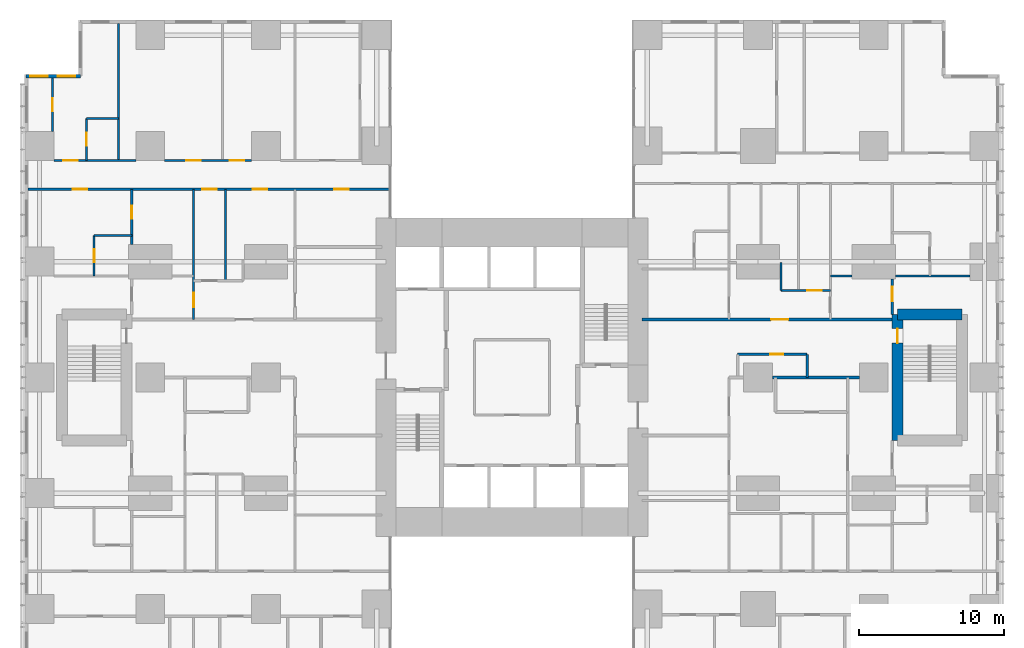
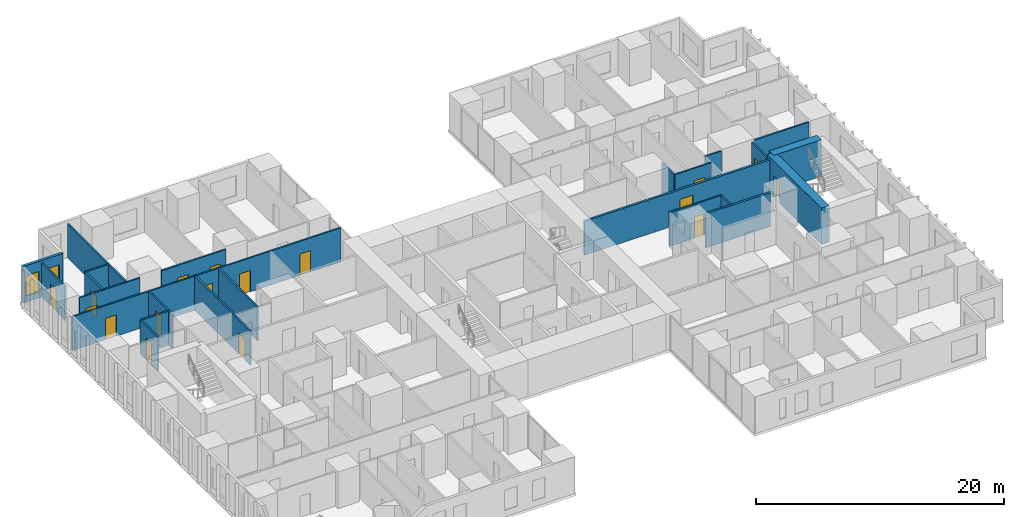
# One storey, part 16 of 20: 24 walls, 17 doors, 2 windows, 19 openings.
"""IFC4 building model written with IfcOpenShell, lengths in metres."""

from ifc_helpers import new_model, si_unit, direction, frame, frame_2d, origin, place, context, subcontext, project, spatial, rectangle, extrude, material, layer, layer_set, type_object, element, fill, save


model = new_model("IFC4")

# Units and contexts
model_context = context("Model", 3, precision=1e-05, world=origin(), true_north=direction((0.0, 1.0)))
body_context = subcontext(model_context, "Body", "Model", "MODEL_VIEW")
ifc_project = project(units=[si_unit("LENGTHUNIT", "METRE"), si_unit("AREAUNIT", "SQUARE_METRE"), si_unit("VOLUMEUNIT", "CUBIC_METRE"), si_unit("PLANEANGLEUNIT", "RADIAN"), si_unit("MASSUNIT", "GRAM", prefix="KILO")], contexts=[model_context])

# Site, building, storey
site_placement = place(None, origin())
site = spatial("IfcSite", under=ifc_project, at=site_placement, CompositionType="ELEMENT")
building_placement = place(site_placement, origin())
building = spatial("IfcBuilding", under=site, at=building_placement, Name="Cleftline Residences", CompositionType="ELEMENT")
storey_placement = place(building_placement, frame((0.0, 0.0, 33.199951171875)))
storey = spatial("IfcBuildingStorey", under=building, at=storey_placement, Name="L07", CompositionType="ELEMENT", Elevation=33.199951171875)

# Wall, openings, windows
ifc_material_1 = material(Name="Rendered reinforced concrete blockwork", Category="masonry")
ifc_layer_1 = layer(ifc_material_1, 0.25)
ifc_layer_set_1 = layer_set([ifc_layer_1], Name="EXTERNAL WALL 250")
wall_type_1 = type_object("IfcWallType", Name="EXTERNAL WALL 250", PredefinedType="SOLIDWALL", material=ifc_layer_set_1)
wall_1_placement = place(storey_placement, frame((3.175048828125, 44.824951171875, 0.0), z_axis=(0.0, 0.0, 1.0), x_axis=(-1.0, 0.0, 0.0)))
wall_1 = element("IfcWall", 1, at=wall_1_placement, inside=storey, type_object=wall_type_1, Name="External wall", PredefinedType="SOLIDWALL", context=body_context, shape_type="SweptSolid", body=[
    extrude(rectangle(XDim=3.75, YDim=0.25, at=frame_2d((1.875, 0.0))), origin(), (0.0, 0.0, 1.0), 3.60009765625),
])
opening_1_placement = place(wall_1_placement, frame((0.362548828125, 0.0, 0.60009765625)))
opening_1 = element("IfcOpeningElement", 2, at=opening_1_placement, cuts=wall_1, Name="Opening W8", PredefinedType="OPENING", context=body_context, shape_type="SweptSolid", body=[
    extrude(rectangle(XDim=1.199951171875, YDim=2.0, at=frame_2d((0.60009765625, 1.0))), frame((0.0, 0.135009765625, 0.0), z_axis=(0.0, -1.0, 0.0), x_axis=(1.0, 0.0, 0.0)), (0.0, 0.0, 1.0), 0.27001953125),
])
opening_2_placement = place(wall_1_placement, frame((2.25, 0.0, 0.60009765625)))
opening_2 = element("IfcOpeningElement", 3, at=opening_2_placement, cuts=wall_1, Name="Opening W8", PredefinedType="OPENING", context=body_context, shape_type="SweptSolid", body=[
    extrude(rectangle(XDim=1.199951171875, YDim=2.0, at=frame_2d((0.60009765625, 1.0))), frame((0.0, 0.135009765625, 0.0), z_axis=(0.0, -1.0, 0.0), x_axis=(1.0, 0.0, 0.0)), (0.0, 0.0, 1.0), 0.27001953125),
])
ifc_material_2 = material(Name="Aluminium frame, clear double glazing", Category="aluminium")
window_type = type_object("IfcWindowType", Name="WINDOW 1200X2000", PartitioningType="DOUBLE_PANEL_VERTICAL", PredefinedType="WINDOW", material=ifc_material_2)
window_1_placement = place(opening_1_placement, origin())
window_1 = element("IfcWindow", 4, at=window_1_placement, inside=storey, type_object=window_type, Name="Window", OverallHeight=2.0, OverallWidth=1.199951171875, PartitioningType="SINGLE_PANEL", PredefinedType="WINDOW", context=body_context, shape_type="SweptSolid", body=[
    extrude(rectangle(XDim=1.199951171875, YDim=2.0, at=frame_2d((0.60009765625, 1.0))), frame((0.0, 0.030029296875, 0.0), z_axis=(0.0, -1.0, 0.0), x_axis=(1.0, 0.0, 0.0)), (0.0, 0.0, 1.0), 0.06005859375),
])
fill(opening_1, window_1)
window_2_placement = place(opening_2_placement, origin())
window_2 = element("IfcWindow", 5, at=window_2_placement, inside=storey, type_object=window_type, Name="Window", OverallHeight=2.0, OverallWidth=1.199951171875, PartitioningType="SINGLE_PANEL", PredefinedType="WINDOW", context=body_context, shape_type="SweptSolid", body=[
    extrude(rectangle(XDim=1.199951171875, YDim=2.0, at=frame_2d((0.60009765625, 1.0))), frame((0.0, 0.030029296875, 0.0), z_axis=(0.0, -1.0, 0.0), x_axis=(1.0, 0.0, 0.0)), (0.0, 0.0, 1.0), 0.06005859375),
])
fill(opening_2, window_2)

# Wall
ifc_material_3 = material(Name="Concrete blockwork, fire rated", Category="masonry")
ifc_layer_2 = layer(ifc_material_3, 0.199951171875)
ifc_layer_set_2 = layer_set([ifc_layer_2], Name="FIRE WALL 200")
wall_type_2 = type_object("IfcWallType", Name="FIRE WALL 200", PredefinedType="PARTITIONING", material=ifc_layer_set_2)
wall_2_placement = place(storey_placement, frame((51.0, 24.0, 0.0), z_axis=(0.0, 0.0, 1.0), x_axis=(1.0, 0.0, 0.0)))
element("IfcWall", 6, at=wall_2_placement, inside=storey, type_object=wall_type_2, Name="Fire separating wall", PredefinedType="PARTITIONING", context=body_context, shape_type="SweptSolid", body=[
    extrude(rectangle(XDim=6.0, YDim=0.199951171875, at=frame_2d((3.0, 0.0))), origin(), (0.0, 0.0, 1.0), 3.35009765625),
])

# Wall, opening, door
wall_3_placement = place(storey_placement, frame((42.0, 28.0, 0.0), z_axis=(0.0, 0.0, 1.0), x_axis=(1.0, 0.0, 0.0)))
wall_3 = element("IfcWall", 7, at=wall_3_placement, inside=storey, type_object=wall_type_2, Name="Fire separating wall", PredefinedType="PARTITIONING", context=body_context, shape_type="SweptSolid", body=[
    extrude(rectangle(XDim=17.27490234375, YDim=0.199951171875, at=frame_2d((8.637451171875, 0.0))), origin(), (0.0, 0.0, 1.0), 3.35009765625),
])
opening_3_placement = place(wall_3_placement, frame((8.89990234375, 0.0, 0.0)))
opening_3 = element("IfcOpeningElement", 8, at=opening_3_placement, cuts=wall_3, Name="Opening D4", PredefinedType="OPENING", context=body_context, shape_type="SweptSolid", body=[
    extrude(rectangle(XDim=1.199951171875, YDim=2.39990234375, at=frame_2d((0.60009765625, 1.199951171875))), frame((0.0, 0.10986328125, 0.0), z_axis=(0.0, -1.0, 0.0), x_axis=(1.0, 0.0, 0.0)), (0.0, 0.0, 1.0), 0.219970703125),
])
ifc_material_4 = material(Name="Timber veneer on solid core", Category="wood")
door_type_1 = type_object("IfcDoorType", Name="APARTMENT ENTRANCE DOOR 1200X2400", OperationType="SINGLE_SWING_RIGHT", PredefinedType="DOOR", material=ifc_material_4)
door_1_placement = place(opening_3_placement, origin())
door_1 = element("IfcDoor", 9, at=door_1_placement, inside=storey, type_object=door_type_1, Name="Door to residence entrance foyer", OperationType="SINGLE_SWING_LEFT", OverallHeight=2.39990234375, OverallWidth=1.199951171875, PredefinedType="DOOR", context=body_context, shape_type="SweptSolid", body=[
    extrude(rectangle(XDim=1.199951171875, YDim=2.39990234375, at=frame_2d((0.60009765625, 1.199951171875))), frame((0.0, 0.02490234375, 0.0), z_axis=(0.0, -1.0, 0.0), x_axis=(1.0, 0.0, 0.0)), (0.0, 0.0, 1.0), 0.050048828125),
])
fill(opening_3, door_1)

ifc_material_5 = material(Name="Gypsum board on steel studs", Category="steel")
ifc_layer_3 = layer(ifc_material_5, 0.14990234375)
ifc_layer_set_3 = layer_set([ifc_layer_3], Name="PARTITION 150")
wall_type_3 = type_object("IfcWallType", Name="PARTITION 150", PredefinedType="PARTITIONING", material=ifc_layer_set_3)
wall_4_placement = place(storey_placement, frame((48.60009765625, 25.60009765625, 0.0), z_axis=(0.0, 0.0, 1.0), x_axis=(1.0, 0.0, 0.0)))
wall_4 = element("IfcWall", 10, at=wall_4_placement, inside=storey, type_object=wall_type_3, Name="Partition", PredefinedType="PARTITIONING", context=body_context, shape_type="SweptSolid", body=[
    extrude(rectangle(XDim=4.7998046875, YDim=0.14990234375, at=frame_2d((2.39990234375, 0.0))), origin(), (0.0, 0.0, 1.0), 3.35009765625),
])
opening_4_placement = place(wall_4_placement, frame((2.25, 0.0, 0.0)))
opening_4 = element("IfcOpeningElement", 11, at=opening_4_placement, cuts=wall_4, Name="Opening D1", PredefinedType="OPENING", context=body_context, shape_type="SweptSolid", body=[
    extrude(rectangle(XDim=0.89990234375, YDim=2.10009765625, at=frame_2d((0.449951171875, 1.050048828125))), frame((0.0, 0.0849609375, 0.0), z_axis=(0.0, -1.0, 0.0), x_axis=(1.0, 0.0, 0.0)), (0.0, 0.0, 1.0), 0.169921875),
])
ifc_material_6 = material(Name="Timber veneer on solid core", Category="wood")
door_type_2 = type_object("IfcDoorType", Name="DOOR 900X2100", OperationType="SINGLE_SWING_LEFT", PredefinedType="DOOR", material=ifc_material_6)
door_2_placement = place(opening_4_placement, origin())
door_2 = element("IfcDoor", 12, at=door_2_placement, inside=storey, type_object=door_type_2, Name="Door to bulky waste room", OperationType="SINGLE_SWING_LEFT", OverallHeight=2.10009765625, OverallWidth=0.89990234375, PredefinedType="DOOR", context=body_context, shape_type="SweptSolid", body=[
    extrude(rectangle(XDim=0.89990234375, YDim=2.10009765625, at=frame_2d((0.449951171875, 1.050048828125))), frame((0.0, 0.02490234375, 0.0), z_axis=(0.0, -1.0, 0.0), x_axis=(1.0, 0.0, 0.0)), (0.0, 0.0, 1.0), 0.050048828125),
])
fill(opening_4, door_2)

wall_5_placement = place(storey_placement, frame((51.60009765625, 30.0, 0.0), z_axis=(0.0, 0.0, 1.0), x_axis=(1.0, 0.0, 0.0)))
wall_5 = element("IfcWall", 13, at=wall_5_placement, inside=storey, type_object=wall_type_3, Name="Partition", PredefinedType="PARTITIONING", context=body_context, shape_type="SweptSolid", body=[
    extrude(rectangle(XDim=3.39990234375, YDim=0.14990234375, at=frame_2d((1.699951171875, 0.0))), origin(), (0.0, 0.0, 1.0), 3.35009765625),
])
opening_5_placement = place(wall_5_placement, frame((1.800048828125, 0.0, 0.0)))
opening_5 = element("IfcOpeningElement", 14, at=opening_5_placement, cuts=wall_5, Name="Opening D2", PredefinedType="OPENING", context=body_context, shape_type="SweptSolid", body=[
    extrude(rectangle(XDim=1.0, YDim=2.10009765625, at=frame_2d((0.5, 1.050048828125))), frame((0.0, 0.0849609375, 0.0), z_axis=(0.0, -1.0, 0.0), x_axis=(1.0, 0.0, 0.0)), (0.0, 0.0, 1.0), 0.169921875),
])
ifc_material_7 = material(Name="Timber veneer on solid core", Category="wood")
door_type_3 = type_object("IfcDoorType", Name="DOOR 1000X2100", OperationType="SINGLE_SWING_LEFT", PredefinedType="DOOR", material=ifc_material_7)
door_3_placement = place(opening_5_placement, origin())
door_3 = element("IfcDoor", 15, at=door_3_placement, inside=storey, type_object=door_type_3, Name="Door to residence passage", OperationType="SINGLE_SWING_LEFT", OverallHeight=2.10009765625, OverallWidth=1.0, PredefinedType="DOOR", context=body_context, shape_type="SweptSolid", body=[
    extrude(rectangle(XDim=1.0, YDim=2.10009765625, at=frame_2d((0.5, 1.050048828125))), frame((0.0, 0.02490234375, 0.0), z_axis=(0.0, -1.0, 0.0), x_axis=(1.0, 0.0, 0.0)), (0.0, 0.0, 1.0), 0.050048828125),
])
fill(opening_5, door_3)

# Walls
wall_6_placement = place(storey_placement, frame((55.0, 31.0, 0.0), z_axis=(0.0, 0.0, 1.0), x_axis=(1.0, 0.0, 0.0)))
element("IfcWall", 16, at=wall_6_placement, inside=storey, type_object=wall_type_3, Name="Partition", PredefinedType="PARTITIONING", context=body_context, shape_type="SweptSolid", body=[
    extrude(rectangle(XDim=1.5, YDim=0.14990234375, at=frame_2d((0.75, 0.0))), origin(), (0.0, 0.0, 1.0), 3.35009765625),
])
wall_7_placement = place(storey_placement, frame((59.5, 31.0, 0.0), z_axis=(0.0, 0.0, 1.0), x_axis=(1.0, 0.0, 0.0)))
element("IfcWall", 17, at=wall_7_placement, inside=storey, type_object=wall_type_3, Name="Partition", PredefinedType="PARTITIONING", context=body_context, shape_type="SweptSolid", body=[
    extrude(rectangle(XDim=5.14990234375, YDim=0.14990234375, at=frame_2d((2.574951171875, 0.0))), origin(), (0.0, 0.0, 1.0), 3.35009765625),
])
wall_8_placement = place(storey_placement, frame((4.125, 33.800048828125, 0.0), z_axis=(0.0, 0.0, 1.0), x_axis=(1.0, 0.0, 0.0)))
element("IfcWall", 18, at=wall_8_placement, inside=storey, type_object=wall_type_3, Name="Partition", PredefinedType="PARTITIONING", context=body_context, shape_type="SweptSolid", body=[
    extrude(rectangle(XDim=2.60009765625, YDim=0.14990234375, at=frame_2d((1.300048828125, 0.0))), origin(), (0.0, 0.0, 1.0), 3.35009765625),
])

# Wall, openings, doors
wall_9_placement = place(storey_placement, frame((-0.449951171875, 37.0, 0.0), z_axis=(0.0, 0.0, 1.0), x_axis=(1.0, 0.0, 0.0)))
wall_9 = element("IfcWall", 19, at=wall_9_placement, inside=storey, type_object=wall_type_3, Name="Partition", PredefinedType="PARTITIONING", context=body_context, shape_type="SweptSolid", body=[
    extrude(rectangle(XDim=25.010986328125, YDim=0.14990234375, at=frame_2d((12.50537109375, 0.0))), origin(), (0.0, 0.0, 1.0), 3.35009765625),
])
opening_6_placement = place(wall_9_placement, frame((12.050048828125, 0.0, 0.0)))
opening_6 = element("IfcOpeningElement", 20, at=opening_6_placement, cuts=wall_9, Name="Opening D2F30", PredefinedType="OPENING", context=body_context, shape_type="SweptSolid", body=[
    extrude(rectangle(XDim=1.0, YDim=2.10009765625, at=frame_2d((0.5, 1.050048828125))), frame((0.0, 0.0849609375, 0.0), z_axis=(0.0, -1.0, 0.0), x_axis=(1.0, 0.0, 0.0)), (0.0, 0.0, 1.0), 0.169921875),
])
opening_7_placement = place(wall_9_placement, frame((3.08740234375, 0.0, 0.0)))
opening_7 = element("IfcOpeningElement", 21, at=opening_7_placement, cuts=wall_9, Name="Opening D2F30", PredefinedType="OPENING", context=body_context, shape_type="SweptSolid", body=[
    extrude(rectangle(XDim=1.0, YDim=2.10009765625, at=frame_2d((0.5, 1.050048828125))), frame((0.0, 0.0849609375, 0.0), z_axis=(0.0, -1.0, 0.0), x_axis=(1.0, 0.0, 0.0)), (0.0, 0.0, 1.0), 0.169921875),
])
opening_8_placement = place(wall_9_placement, frame((15.550048828125, 0.0, 0.0)))
opening_8 = element("IfcOpeningElement", 22, at=opening_8_placement, cuts=wall_9, Name="Opening D2F30", PredefinedType="OPENING", context=body_context, shape_type="SweptSolid", body=[
    extrude(rectangle(XDim=1.0, YDim=2.10009765625, at=frame_2d((0.5, 1.050048828125))), frame((0.0, 0.0849609375, 0.0), z_axis=(0.0, -1.0, 0.0), x_axis=(1.0, 0.0, 0.0)), (0.0, 0.0, 1.0), 0.169921875),
])
opening_9_placement = place(wall_9_placement, frame((21.175048828125, 0.0, 0.0)))
opening_9 = element("IfcOpeningElement", 23, at=opening_9_placement, cuts=wall_9, Name="Opening D2F30", PredefinedType="OPENING", context=body_context, shape_type="SweptSolid", body=[
    extrude(rectangle(XDim=1.0, YDim=2.10009765625, at=frame_2d((0.5, 1.050048828125))), frame((0.0, 0.0849609375, 0.0), z_axis=(0.0, -1.0, 0.0), x_axis=(1.0, 0.0, 0.0)), (0.0, 0.0, 1.0), 0.169921875),
])
ifc_material_8 = material(Name="Timber veneer on solid core", Category="wood")
door_type_4 = type_object("IfcDoorType", Name="DOOR 1000X2100 EI 30", OperationType="SINGLE_SWING_LEFT", PredefinedType="DOOR", material=ifc_material_8)
door_4_placement = place(opening_6_placement, origin())
door_4 = element("IfcDoor", 24, at=door_4_placement, inside=storey, type_object=door_type_4, Name="Door to residence hall (gallery)", OperationType="SINGLE_SWING_LEFT", OverallHeight=2.10009765625, OverallWidth=1.0, PredefinedType="DOOR", context=body_context, shape_type="SweptSolid", body=[
    extrude(rectangle(XDim=1.0, YDim=2.10009765625, at=frame_2d((0.5, 1.050048828125))), frame((0.0, 0.02490234375, 0.0), z_axis=(0.0, -1.0, 0.0), x_axis=(1.0, 0.0, 0.0)), (0.0, 0.0, 1.0), 0.050048828125),
])
fill(opening_6, door_4)
door_5_placement = place(opening_7_placement, origin())
door_5 = element("IfcDoor", 25, at=door_5_placement, inside=storey, type_object=door_type_4, Name="Door to master bedroom", OperationType="SINGLE_SWING_RIGHT", OverallHeight=2.10009765625, OverallWidth=1.0, PredefinedType="DOOR", context=body_context, shape_type="SweptSolid", body=[
    extrude(rectangle(XDim=1.0, YDim=2.10009765625, at=frame_2d((0.5, 1.050048828125))), frame((0.0, 0.02490234375, 0.0), z_axis=(0.0, -1.0, 0.0), x_axis=(1.0, 0.0, 0.0)), (0.0, 0.0, 1.0), 0.050048828125),
])
fill(opening_7, door_5)
door_6_placement = place(opening_8_placement, origin())
door_6 = element("IfcDoor", 26, at=door_6_placement, inside=storey, type_object=door_type_4, Name="Door to study", OperationType="SINGLE_SWING_LEFT", OverallHeight=2.10009765625, OverallWidth=1.0, PredefinedType="DOOR", context=body_context, shape_type="SweptSolid", body=[
    extrude(rectangle(XDim=1.0, YDim=2.10009765625, at=frame_2d((0.5, 1.050048828125))), frame((0.0, 0.02490234375, 0.0), z_axis=(0.0, -1.0, 0.0), x_axis=(1.0, 0.0, 0.0)), (0.0, 0.0, 1.0), 0.050048828125),
])
fill(opening_8, door_6)
door_7_placement = place(opening_9_placement, origin())
door_7 = element("IfcDoor", 27, at=door_7_placement, inside=storey, type_object=door_type_4, Name="Door to wet kitchen", OperationType="SINGLE_SWING_LEFT", OverallHeight=2.10009765625, OverallWidth=1.0, PredefinedType="DOOR", context=body_context, shape_type="SweptSolid", body=[
    extrude(rectangle(XDim=1.0, YDim=2.10009765625, at=frame_2d((0.5, 1.050048828125))), frame((0.0, 0.02490234375, 0.0), z_axis=(0.0, -1.0, 0.0), x_axis=(1.0, 0.0, 0.0)), (0.0, 0.0, 1.0), 0.050048828125),
])
fill(opening_9, door_7)

# Wall, opening, door
wall_10_placement = place(storey_placement, frame((1.35009765625, 39.0, 0.0), z_axis=(0.0, 0.0, 1.0), x_axis=(1.0, 0.0, 0.0)))
wall_10 = element("IfcWall", 28, at=wall_10_placement, inside=storey, type_object=wall_type_3, Name="Partition", PredefinedType="PARTITIONING", context=body_context, shape_type="SweptSolid", body=[
    extrude(rectangle(XDim=5.64990234375, YDim=0.14990234375, at=frame_2d((2.824951171875, 0.0))), origin(), (0.0, 0.0, 1.0), 3.35009765625),
])
opening_10_placement = place(wall_10_placement, frame((0.625, 0.0, 0.0)))
opening_10 = element("IfcOpeningElement", 29, at=opening_10_placement, cuts=wall_10, Name="Opening D2", PredefinedType="OPENING", context=body_context, shape_type="SweptSolid", body=[
    extrude(rectangle(XDim=1.0, YDim=2.10009765625, at=frame_2d((0.5, 1.050048828125))), frame((0.0, 0.0849609375, 0.0), z_axis=(0.0, -1.0, 0.0), x_axis=(1.0, 0.0, 0.0)), (0.0, 0.0, 1.0), 0.169921875),
])
door_8_placement = place(opening_10_placement, origin())
door_8 = element("IfcDoor", 30, at=door_8_placement, inside=storey, type_object=door_type_3, Name="Door to bedroom 2", OperationType="SINGLE_SWING_RIGHT", OverallHeight=2.10009765625, OverallWidth=1.0, PredefinedType="DOOR", context=body_context, shape_type="SweptSolid", body=[
    extrude(rectangle(XDim=1.0, YDim=2.10009765625, at=frame_2d((0.5, 1.050048828125))), frame((0.0, 0.02490234375, 0.0), z_axis=(0.0, -1.0, 0.0), x_axis=(1.0, 0.0, 0.0)), (0.0, 0.0, 1.0), 0.050048828125),
])
fill(opening_10, door_8)

# Wall, openings, doors
wall_11_placement = place(storey_placement, frame((9.0, 39.0, 0.0), z_axis=(0.0, 0.0, 1.0), x_axis=(1.0, 0.0, 0.0)))
wall_11 = element("IfcWall", 31, at=wall_11_placement, inside=storey, type_object=wall_type_3, Name="Partition", PredefinedType="PARTITIONING", context=body_context, shape_type="SweptSolid", body=[
    extrude(rectangle(XDim=6.0, YDim=0.14990234375, at=frame_2d((3.0, 0.0))), origin(), (0.0, 0.0, 1.0), 3.35009765625),
])
opening_11_placement = place(wall_11_placement, frame((1.5, 0.0, 0.0)))
opening_11 = element("IfcOpeningElement", 32, at=opening_11_placement, cuts=wall_11, Name="Opening D2", PredefinedType="OPENING", context=body_context, shape_type="SweptSolid", body=[
    extrude(rectangle(XDim=1.0, YDim=2.10009765625, at=frame_2d((0.5, 1.050048828125))), frame((0.0, 0.0849609375, 0.0), z_axis=(0.0, -1.0, 0.0), x_axis=(1.0, 0.0, 0.0)), (0.0, 0.0, 1.0), 0.169921875),
])
opening_12_placement = place(wall_11_placement, frame((4.5, 0.0, 0.0)))
opening_12 = element("IfcOpeningElement", 33, at=opening_12_placement, cuts=wall_11, Name="Opening D2", PredefinedType="OPENING", context=body_context, shape_type="SweptSolid", body=[
    extrude(rectangle(XDim=1.0, YDim=2.10009765625, at=frame_2d((0.5, 1.050048828125))), frame((0.0, 0.0849609375, 0.0), z_axis=(0.0, -1.0, 0.0), x_axis=(1.0, 0.0, 0.0)), (0.0, 0.0, 1.0), 0.169921875),
])
door_9_placement = place(opening_11_placement, origin())
door_9 = element("IfcDoor", 34, at=door_9_placement, inside=storey, type_object=door_type_3, Name="Door to living room", OperationType="SINGLE_SWING_RIGHT", OverallHeight=2.10009765625, OverallWidth=1.0, PredefinedType="DOOR", context=body_context, shape_type="SweptSolid", body=[
    extrude(rectangle(XDim=1.0, YDim=2.10009765625, at=frame_2d((0.5, 1.050048828125))), frame((0.0, 0.02490234375, 0.0), z_axis=(0.0, -1.0, 0.0), x_axis=(1.0, 0.0, 0.0)), (0.0, 0.0, 1.0), 0.050048828125),
])
fill(opening_11, door_9)
door_10_placement = place(opening_12_placement, origin())
door_10 = element("IfcDoor", 35, at=door_10_placement, inside=storey, type_object=door_type_3, Name="Door to dining room", OperationType="SINGLE_SWING_LEFT", OverallHeight=2.10009765625, OverallWidth=1.0, PredefinedType="DOOR", context=body_context, shape_type="SweptSolid", body=[
    extrude(rectangle(XDim=1.0, YDim=2.10009765625, at=frame_2d((0.5, 1.050048828125))), frame((0.0, 0.02490234375, 0.0), z_axis=(0.0, -1.0, 0.0), x_axis=(1.0, 0.0, 0.0)), (0.0, 0.0, 1.0), 0.050048828125),
])
fill(opening_12, door_10)

# Wall
wall_12_placement = place(storey_placement, frame((3.60009765625, 41.89990234375, 0.0), z_axis=(0.0, 0.0, 1.0), x_axis=(1.0, 0.0, 0.0)))
element("IfcWall", 36, at=wall_12_placement, inside=storey, type_object=wall_type_3, Name="Partition", PredefinedType="PARTITIONING", context=body_context, shape_type="SweptSolid", body=[
    extrude(rectangle(XDim=2.199951171875, YDim=0.14990234375, at=frame_2d((1.10009765625, 0.0))), origin(), (0.0, 0.0, 1.0), 3.35009765625),
])

# Wall, opening, door
wall_13_placement = place(storey_placement, frame((1.25, 41.0, 0.0), z_axis=(0.0, 0.0, 1.0), x_axis=(0.0, 1.0, 0.0)))
wall_13 = element("IfcWall", 37, at=wall_13_placement, inside=storey, type_object=wall_type_3, Name="Partition", PredefinedType="PARTITIONING", context=body_context, shape_type="SweptSolid", body=[
    extrude(rectangle(XDim=3.699951171875, YDim=0.14990234375, at=frame_2d((1.85009765625, 0.0))), origin(), (0.0, 0.0, 1.0), 3.35009765625),
])
opening_13_placement = place(wall_13_placement, frame((1.39990234375, 0.0, 0.0)))
opening_13 = element("IfcOpeningElement", 38, at=opening_13_placement, cuts=wall_13, Name="Opening D1", PredefinedType="OPENING", context=body_context, shape_type="SweptSolid", body=[
    extrude(rectangle(XDim=0.89990234375, YDim=2.10009765625, at=frame_2d((0.449951171875, 1.050048828125))), frame((0.0, 0.0849609375, 0.0), z_axis=(0.0, -1.0, 0.0), x_axis=(1.0, 0.0, 0.0)), (0.0, 0.0, 1.0), 0.169921875),
])
door_11_placement = place(opening_13_placement, origin())
door_11 = element("IfcDoor", 39, at=door_11_placement, inside=storey, type_object=door_type_2, Name="Door to walk-in wardrobe", OperationType="SINGLE_SWING_LEFT", OverallHeight=2.10009765625, OverallWidth=0.89990234375, PredefinedType="DOOR", context=body_context, shape_type="SweptSolid", body=[
    extrude(rectangle(XDim=0.89990234375, YDim=2.10009765625, at=frame_2d((0.449951171875, 1.050048828125))), frame((0.0, 0.02490234375, 0.0), z_axis=(0.0, -1.0, 0.0), x_axis=(1.0, 0.0, 0.0)), (0.0, 0.0, 1.0), 0.050048828125),
])
fill(opening_13, door_11)

wall_14_placement = place(storey_placement, frame((3.60009765625, 39.0, 0.0), z_axis=(0.0, 0.0, 1.0), x_axis=(0.0, 1.0, 0.0)))
wall_14 = element("IfcWall", 40, at=wall_14_placement, inside=storey, type_object=wall_type_3, Name="Partition", PredefinedType="PARTITIONING", context=body_context, shape_type="SweptSolid", body=[
    extrude(rectangle(XDim=2.89990234375, YDim=0.14990234375, at=frame_2d((1.449951171875, 0.0))), origin(), (0.0, 0.0, 1.0), 3.35009765625),
])
opening_14_placement = place(wall_14_placement, frame((1.0, 0.0, 0.0)))
opening_14 = element("IfcOpeningElement", 41, at=opening_14_placement, cuts=wall_14, Name="Opening D1", PredefinedType="OPENING", context=body_context, shape_type="SweptSolid", body=[
    extrude(rectangle(XDim=0.89990234375, YDim=2.10009765625, at=frame_2d((0.449951171875, 1.050048828125))), frame((0.0, 0.0849609375, 0.0), z_axis=(0.0, -1.0, 0.0), x_axis=(1.0, 0.0, 0.0)), (0.0, 0.0, 1.0), 0.169921875),
])
door_12_placement = place(opening_14_placement, origin())
door_12 = element("IfcDoor", 42, at=door_12_placement, inside=storey, type_object=door_type_2, Name="Door to en-suite bathroom 2", OperationType="SINGLE_SWING_LEFT", OverallHeight=2.10009765625, OverallWidth=0.89990234375, PredefinedType="DOOR", context=body_context, shape_type="SweptSolid", body=[
    extrude(rectangle(XDim=0.89990234375, YDim=2.10009765625, at=frame_2d((0.449951171875, 1.050048828125))), frame((0.0, 0.02490234375, 0.0), z_axis=(0.0, -1.0, 0.0), x_axis=(1.0, 0.0, 0.0)), (0.0, 0.0, 1.0), 0.050048828125),
])
fill(opening_14, door_12)

wall_15_placement = place(storey_placement, frame((4.125, 31.0, 0.0), z_axis=(0.0, 0.0, 1.0), x_axis=(0.0, 1.0, 0.0)))
wall_15 = element("IfcWall", 43, at=wall_15_placement, inside=storey, type_object=wall_type_3, Name="Partition", PredefinedType="PARTITIONING", context=body_context, shape_type="SweptSolid", body=[
    extrude(rectangle(XDim=2.800048828125, YDim=0.14990234375, at=frame_2d((1.39990234375, 0.0))), origin(), (0.0, 0.0, 1.0), 3.35009765625),
])
opening_15_placement = place(wall_15_placement, frame((0.949951171875, 0.0, 0.0)))
opening_15 = element("IfcOpeningElement", 44, at=opening_15_placement, cuts=wall_15, Name="Opening D1", PredefinedType="OPENING", context=body_context, shape_type="SweptSolid", body=[
    extrude(rectangle(XDim=0.89990234375, YDim=2.10009765625, at=frame_2d((0.449951171875, 1.050048828125))), frame((0.0, 0.0849609375, 0.0), z_axis=(0.0, -1.0, 0.0), x_axis=(1.0, 0.0, 0.0)), (0.0, 0.0, 1.0), 0.169921875),
])
door_13_placement = place(opening_15_placement, origin())
door_13 = element("IfcDoor", 45, at=door_13_placement, inside=storey, type_object=door_type_2, Name="Door to master bathroom", OperationType="SINGLE_SWING_LEFT", OverallHeight=2.10009765625, OverallWidth=0.89990234375, PredefinedType="DOOR", context=body_context, shape_type="SweptSolid", body=[
    extrude(rectangle(XDim=0.89990234375, YDim=2.10009765625, at=frame_2d((0.449951171875, 1.050048828125))), frame((0.0, 0.02490234375, 0.0), z_axis=(0.0, -1.0, 0.0), x_axis=(1.0, 0.0, 0.0)), (0.0, 0.0, 1.0), 0.050048828125),
])
fill(opening_15, door_13)

# Wall
wall_16_placement = place(storey_placement, frame((5.800048828125, 39.0, 0.0), z_axis=(0.0, 0.0, 1.0), x_axis=(0.0, 1.0, 0.0)))
element("IfcWall", 46, at=wall_16_placement, inside=storey, type_object=wall_type_3, Name="Partition", PredefinedType="PARTITIONING", context=body_context, shape_type="SweptSolid", body=[
    extrude(rectangle(XDim=9.449951171875, YDim=0.14990234375, at=frame_2d((4.72509765625, 0.0))), origin(), (0.0, 0.0, 1.0), 3.35009765625),
])

# Wall, opening, door
wall_17_placement = place(storey_placement, frame((6.72509765625, 33.199951171875, 0.0), z_axis=(0.0, 0.0, 1.0), x_axis=(0.0, 1.0, 0.0)))
wall_17 = element("IfcWall", 47, at=wall_17_placement, inside=storey, type_object=wall_type_3, Name="Partition", PredefinedType="PARTITIONING", context=body_context, shape_type="SweptSolid", body=[
    extrude(rectangle(XDim=3.800048828125, YDim=0.14990234375, at=frame_2d((1.89990234375, 0.0))), origin(), (0.0, 0.0, 1.0), 3.35009765625),
])
opening_16_placement = place(wall_17_placement, frame((1.75, 0.0, 0.0)))
opening_16 = element("IfcOpeningElement", 48, at=opening_16_placement, cuts=wall_17, Name="Opening D1", PredefinedType="OPENING", context=body_context, shape_type="SweptSolid", body=[
    extrude(rectangle(XDim=0.89990234375, YDim=2.10009765625, at=frame_2d((0.449951171875, 1.050048828125))), frame((0.0, 0.0849609375, 0.0), z_axis=(0.0, -1.0, 0.0), x_axis=(1.0, 0.0, 0.0)), (0.0, 0.0, 1.0), 0.169921875),
])
door_14_placement = place(opening_16_placement, origin())
door_14 = element("IfcDoor", 49, at=door_14_placement, inside=storey, type_object=door_type_2, Name="Door to master dressing room", OperationType="SINGLE_SWING_LEFT", OverallHeight=2.10009765625, OverallWidth=0.89990234375, PredefinedType="DOOR", context=body_context, shape_type="SweptSolid", body=[
    extrude(rectangle(XDim=0.89990234375, YDim=2.10009765625, at=frame_2d((0.449951171875, 1.050048828125))), frame((0.0, 0.02490234375, 0.0), z_axis=(0.0, -1.0, 0.0), x_axis=(1.0, 0.0, 0.0)), (0.0, 0.0, 1.0), 0.050048828125),
])
fill(opening_16, door_14)

wall_18_placement = place(storey_placement, frame((11.0, 28.0, 0.0), z_axis=(0.0, 0.0, 1.0), x_axis=(0.0, 1.0, 0.0)))
wall_18 = element("IfcWall", 50, at=wall_18_placement, inside=storey, type_object=wall_type_3, Name="Partition", PredefinedType="PARTITIONING", context=body_context, shape_type="SweptSolid", body=[
    extrude(rectangle(XDim=9.0, YDim=0.14990234375, at=frame_2d((4.5, 0.0))), origin(), (0.0, 0.0, 1.0), 3.35009765625),
])
opening_17_placement = place(wall_18_placement, frame((0.83740234375, 0.0, 0.0)))
opening_17 = element("IfcOpeningElement", 51, at=opening_17_placement, cuts=wall_18, Name="Opening D2F30", PredefinedType="OPENING", context=body_context, shape_type="SweptSolid", body=[
    extrude(rectangle(XDim=1.0, YDim=2.10009765625, at=frame_2d((0.5, 1.050048828125))), frame((0.0, 0.0849609375, 0.0), z_axis=(0.0, -1.0, 0.0), x_axis=(1.0, 0.0, 0.0)), (0.0, 0.0, 1.0), 0.169921875),
])
door_15_placement = place(opening_17_placement, origin())
door_15 = element("IfcDoor", 52, at=door_15_placement, inside=storey, type_object=door_type_4, Name="Door to residence lobby", OperationType="SINGLE_SWING_RIGHT", OverallHeight=2.10009765625, OverallWidth=1.0, PredefinedType="DOOR", context=body_context, shape_type="SweptSolid", body=[
    extrude(rectangle(XDim=1.0, YDim=2.10009765625, at=frame_2d((0.5, 1.050048828125))), frame((0.0, 0.02490234375, 0.0), z_axis=(0.0, -1.0, 0.0), x_axis=(1.0, 0.0, 0.0)), (0.0, 0.0, 1.0), 0.050048828125),
])
fill(opening_17, door_15)

# Walls
wall_19_placement = place(storey_placement, frame((13.199951171875, 30.675048828125, 0.0), z_axis=(0.0, 0.0, 1.0), x_axis=(0.0, 1.0, 0.0)))
element("IfcWall", 53, at=wall_19_placement, inside=storey, type_object=wall_type_3, Name="Partition", PredefinedType="PARTITIONING", context=body_context, shape_type="SweptSolid", body=[
    extrude(rectangle(XDim=6.324951171875, YDim=0.14990234375, at=frame_2d((3.16259765625, 0.0))), origin(), (0.0, 0.0, 1.0), 3.35009765625),
])
wall_20_placement = place(storey_placement, frame((51.60009765625, 30.0, 0.0), z_axis=(0.0, 0.0, 1.0), x_axis=(0.0, 1.0, 0.0)))
element("IfcWall", 54, at=wall_20_placement, inside=storey, type_object=wall_type_3, Name="Partition", PredefinedType="PARTITIONING", context=body_context, shape_type="SweptSolid", body=[
    extrude(rectangle(XDim=1.949951171875, YDim=0.14990234375, at=frame_2d((0.97509765625, 0.0))), origin(), (0.0, 0.0, 1.0), 3.35009765625),
])
wall_21_placement = place(storey_placement, frame((53.39990234375, 24.0, 0.0), z_axis=(0.0, 0.0, 1.0), x_axis=(0.0, 1.0, 0.0)))
element("IfcWall", 55, at=wall_21_placement, inside=storey, type_object=wall_type_3, Name="Partition", PredefinedType="PARTITIONING", context=body_context, shape_type="SweptSolid", body=[
    extrude(rectangle(XDim=1.60009765625, YDim=0.14990234375, at=frame_2d((0.800048828125, 0.0))), origin(), (0.0, 0.0, 1.0), 3.35009765625),
])

# Wall, opening, door
wall_22_placement = place(storey_placement, frame((59.27490234375, 28.35009765625, 0.0), z_axis=(0.0, 0.0, 1.0), x_axis=(0.0, 1.0, 0.0)))
wall_22 = element("IfcWall", 56, at=wall_22_placement, inside=storey, type_object=wall_type_3, Name="Partition", PredefinedType="PARTITIONING", context=body_context, shape_type="SweptSolid", body=[
    extrude(rectangle(XDim=2.449951171875, YDim=0.14990234375, at=frame_2d((1.22509765625, 0.0))), origin(), (0.0, 0.0, 1.0), 3.35009765625),
])
opening_18_placement = place(wall_22_placement, frame((0.91259765625, 0.0, 0.0)))
opening_18 = element("IfcOpeningElement", 57, at=opening_18_placement, cuts=wall_22, Name="Opening D2", PredefinedType="OPENING", context=body_context, shape_type="SweptSolid", body=[
    extrude(rectangle(XDim=1.0, YDim=2.10009765625, at=frame_2d((0.5, 1.050048828125))), frame((0.0, 0.0849609375, 0.0), z_axis=(0.0, -1.0, 0.0), x_axis=(1.0, 0.0, 0.0)), (0.0, 0.0, 1.0), 0.169921875),
])
door_16_placement = place(opening_18_placement, origin())
door_16 = element("IfcDoor", 58, at=door_16_placement, inside=storey, type_object=door_type_3, Name="Door to altar room", OperationType="SINGLE_SWING_LEFT", OverallHeight=2.10009765625, OverallWidth=1.0, PredefinedType="DOOR", context=body_context, shape_type="SweptSolid", body=[
    extrude(rectangle(XDim=1.0, YDim=2.10009765625, at=frame_2d((0.5, 1.050048828125))), frame((0.0, 0.02490234375, 0.0), z_axis=(0.0, -1.0, 0.0), x_axis=(1.0, 0.0, 0.0)), (0.0, 0.0, 1.0), 0.050048828125),
])
fill(opening_18, door_16)

# Wall
ifc_material_9 = material(Name="Concrete B70", Category="concrete")
ifc_layer_4 = layer(ifc_material_9, 0.75)
ifc_layer_set_4 = layer_set([ifc_layer_4], Name="SHEAR WALL 750")
wall_type_4 = type_object("IfcWallType", Name="SHEAR WALL 750", PredefinedType="SHEAR", material=ifc_layer_set_4)
wall_23_placement = place(storey_placement, frame((64.10009765625, 28.35009765625, 0.0), z_axis=(0.0, 0.0, 1.0), x_axis=(-1.0, 0.0, 0.0)))
element("IfcWall", 59, at=wall_23_placement, inside=storey, type_object=wall_type_4, Name="Wing shear wall", PredefinedType="SHEAR", context=body_context, shape_type="SweptSolid", body=[
    extrude(rectangle(XDim=4.4501953125, YDim=0.75, at=frame_2d((2.22509765625, 0.0))), origin(), (0.0, 0.0, 1.0), 3.60009765625),
])

# Wall, opening, door
wall_24_placement = place(storey_placement, frame((59.64990234375, 28.35009765625, 0.0), z_axis=(0.0, 0.0, 1.0), x_axis=(0.0, -1.0, 0.0)))
wall_24 = element("IfcWall", 60, at=wall_24_placement, inside=storey, type_object=wall_type_4, Name="Wing shear wall", PredefinedType="SHEAR", context=body_context, shape_type="SweptSolid", body=[
    extrude(rectangle(XDim=8.7001953125, YDim=0.75, at=frame_2d((4.35009765625, 0.0))), origin(), (0.0, 0.0, 1.0), 3.60009765625),
])
opening_19_placement = place(wall_24_placement, frame((0.97509765625, 0.0, 0.0)))
opening_19 = element("IfcOpeningElement", 61, at=opening_19_placement, cuts=wall_24, Name="Opening D5", PredefinedType="OPENING", context=body_context, shape_type="SweptSolid", body=[
    extrude(rectangle(XDim=1.0, YDim=2.10009765625, at=frame_2d((0.5, 1.050048828125))), frame((0.0, 0.385009765625, 0.0), z_axis=(0.0, -1.0, 0.0), x_axis=(1.0, 0.0, 0.0)), (0.0, 0.0, 1.0), 0.77001953125),
])
ifc_material_10 = material(Name="Steel", Category="steel")
door_type_5 = type_object("IfcDoorType", Name="STAIR DOOR 1000X2100", OperationType="SINGLE_SWING_LEFT", PredefinedType="DOOR", material=ifc_material_10)
door_17_placement = place(opening_19_placement, origin())
door_17 = element("IfcDoor", 62, at=door_17_placement, inside=storey, type_object=door_type_5, Name="Stair E door", OperationType="SINGLE_SWING_RIGHT", OverallHeight=2.10009765625, OverallWidth=1.0, PredefinedType="DOOR", context=body_context, shape_type="SweptSolid", body=[
    extrude(rectangle(XDim=1.0, YDim=2.10009765625, at=frame_2d((0.5, 1.050048828125))), frame((0.0, 0.02490234375, 0.0), z_axis=(0.0, -1.0, 0.0), x_axis=(1.0, 0.0, 0.0)), (0.0, 0.0, 1.0), 0.050048828125),
])
fill(opening_19, door_17)

save(model, "model.ifc")
